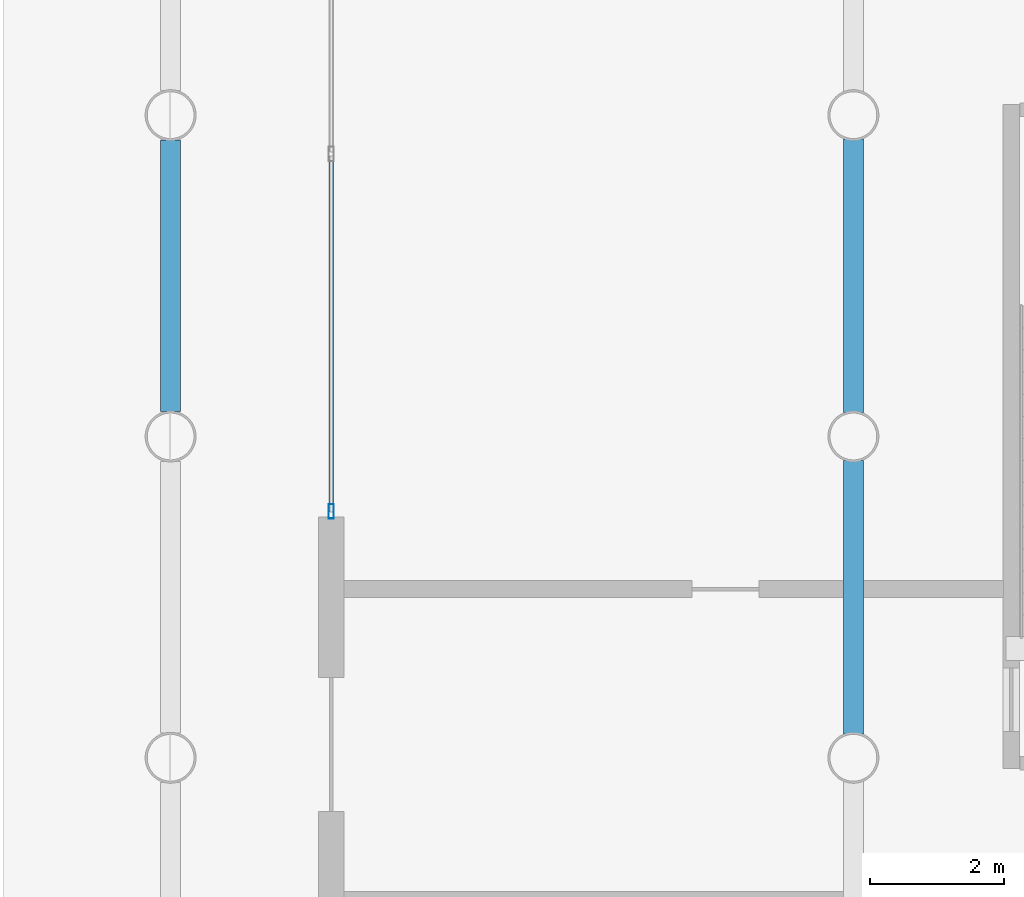
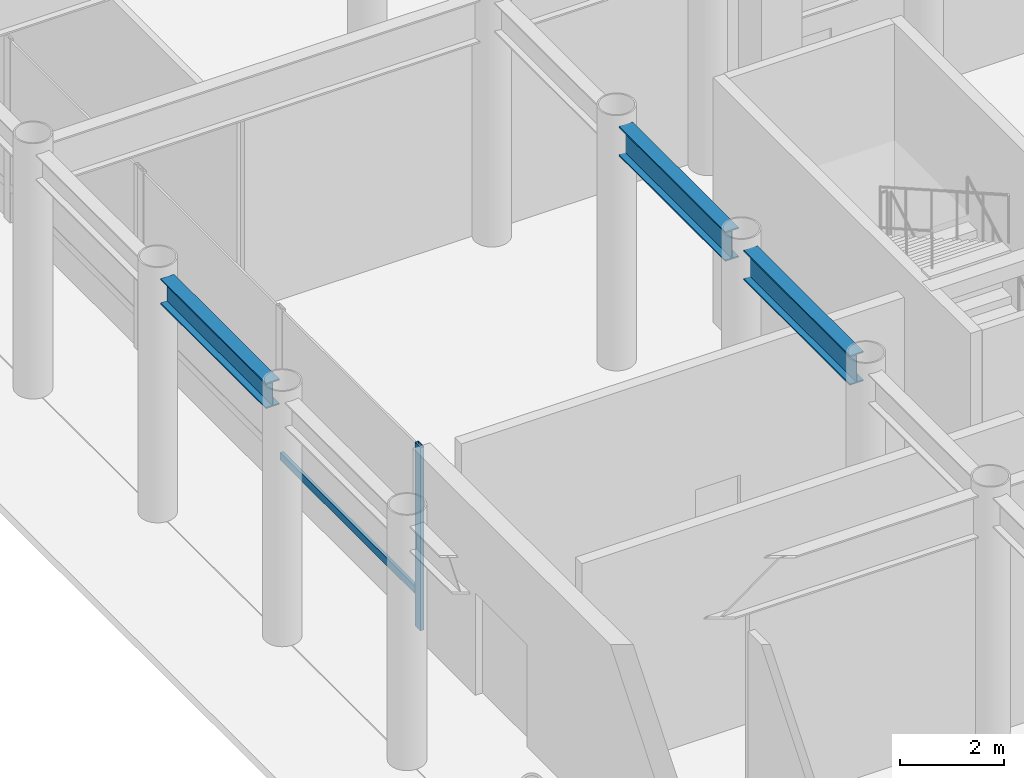
# One storey, part 7 of 23: 3 beams, 2 members, 1 element without a shape of its own.
"""IFC4 building model written with IfcOpenShell, lengths in metres."""

import ifcopenshell
import ifcopenshell.guid

model = None  # the IFC model being written
_history = None  # IfcOwnerHistory: only IFC2X3 demands one
_inside = {}  # id of a spatial element -> (the spatial element, [elements in it])
_under = {}  # id of a project, library or spatial element -> (it, [spatial elements below it])
_declared = {}  # id of a project -> (the project, [libraries it declares])
_typed = {}  # id of a type object -> (the type object, [elements of that type])
_made_of = {}  # id of a material, layer set ... -> (it, [elements and type objects made of it])


def new_model(schema):
    """Start an empty IFC model of exactly this schema.

    Asked for "IFC4X3", IfcOpenShell would pick the latest addendum, in which some entities
    have other attributes; the version numbers below select the first issue.
    IFC2X3 requires an IfcOwnerHistory on every rooted entity: one is made here for all.
    """
    global model, _history
    if schema == "IFC4X3":
        model = ifcopenshell.file(schema_version=(4, 3, 0, 0))
    else:
        model = ifcopenshell.file(schema=schema)
    _inside.clear()
    _under.clear()
    _declared.clear()
    _typed.clear()
    _made_of.clear()
    _history = None
    if model.schema == "IFC2X3":
        org = make("IfcOrganization", Name="unknown")
        user = make(
            "IfcPersonAndOrganization",
            ThePerson=make("IfcPerson", FamilyName="unknown"),
            TheOrganization=org,
        )
        app = make(
            "IfcApplication",
            ApplicationDeveloper=org,
            Version="unknown",
            ApplicationFullName="unknown",
            ApplicationIdentifier="unknown",
        )
        _history = make(
            "IfcOwnerHistory",
            OwningUser=user,
            OwningApplication=app,
            ChangeAction="ADDED",
            CreationDate=0,
        )
    return model


def make(cls, **values):
    """One entity of the class cls with the attributes given. An attribute that is None is left unset."""
    return model.create_entity(
        cls, **{name: value for name, value in values.items() if value is not None}
    )


def rooted(cls, **values):
    """An entity with a GlobalId (a new one), such as an element, a storey or a relation."""
    return make(cls, GlobalId=ifcopenshell.guid.new(), OwnerHistory=_history, **values)


def si_unit(unit_type, name, prefix=None):
    """IfcSIUnit, for example si_unit("LENGTHUNIT", "METRE", prefix="MILLI")."""
    return make("IfcSIUnit", UnitType=unit_type, Prefix=prefix, Name=name)


def assignment(units):
    """IfcUnitAssignment: the units of a project."""
    return None if units is None else make("IfcUnitAssignment", Units=units)


def point(xyz):
    """IfcCartesianPoint."""
    return None if xyz is None else make("IfcCartesianPoint", Coordinates=xyz)


def direction(xyz):
    """IfcDirection."""
    return None if xyz is None else make("IfcDirection", DirectionRatios=xyz)


def frame(location, z_axis=None, x_axis=None):
    """IfcAxis2Placement3D, a coordinate frame: its origin and axes. An axis left out is left unset."""
    return make(
        "IfcAxis2Placement3D",
        Location=point(location),
        Axis=direction(z_axis),
        RefDirection=direction(x_axis),
    )


def frame_2d(location, x_axis=None):
    """IfcAxis2Placement2D, a coordinate frame in the plane: its origin and x axis."""
    return make(
        "IfcAxis2Placement2D", Location=point(location), RefDirection=direction(x_axis)
    )


def origin():
    """The frame at (0, 0, 0) with its axes left unset."""
    return frame((0.0, 0.0, 0.0))


def origin_2d():
    """The frame at (0, 0) in the plane with its x axis left unset."""
    return frame_2d((0.0, 0.0))


def place(relative_to, where):
    """IfcLocalPlacement: puts the frame where relative to a parent placement (None: the world)."""
    return make(
        "IfcLocalPlacement", PlacementRelTo=relative_to, RelativePlacement=where
    )


def context(
    kind, dimensions, precision=None, world=None, true_north=None, identifier=None
):
    """IfcGeometricRepresentationContext, for example the 3D "Model" context."""
    return make(
        "IfcGeometricRepresentationContext",
        ContextIdentifier=identifier,
        ContextType=kind,
        CoordinateSpaceDimension=dimensions,
        Precision=precision,
        WorldCoordinateSystem=world,
        TrueNorth=true_north,
    )


def subcontext(parent, identifier, kind, view, scale=None):
    """IfcGeometricRepresentationSubContext, for example "Body" below "Model"."""
    return make(
        "IfcGeometricRepresentationSubContext",
        ContextIdentifier=identifier,
        ContextType=kind,
        ParentContext=parent,
        TargetScale=scale,
        TargetView=view,
    )


def project(units=None, contexts=None):
    """IfcProject with its units and contexts."""
    return rooted(
        "IfcProject",
        Name="project",
        RepresentationContexts=contexts,
        UnitsInContext=assignment(units),
    )


def spatial(cls, under=None, at=None, **own):
    """A site, building, storey or space (cls), placed at a placement, below another one or the project."""
    s = rooted(cls, ObjectPlacement=at, **own)
    if under is not None:
        _under.setdefault(under.id(), (under, []))[1].append(s)
    return s


def profile(cls, at=None, kind="AREA", **sizes):
    """A parametric profile (cls). Its sizes go by their IFC names, for example OverallWidth=200.0."""
    return make(cls, ProfileType=kind, Position=at, **sizes)


def hollow_rectangle(**sizes):
    """IfcRectangleHollowProfileDef."""
    return profile("IfcRectangleHollowProfileDef", **sizes)


def i_section(**sizes):
    """IfcIShapeProfileDef."""
    return profile("IfcIShapeProfileDef", **sizes)


def extrude(swept, where, along, depth):
    """IfcExtrudedAreaSolid: the profile swept, set in the frame where, extruded along a direction by depth."""
    return make(
        "IfcExtrudedAreaSolid",
        SweptArea=swept,
        Position=where,
        ExtrudedDirection=direction(along),
        Depth=depth,
    )


def shape(context_of_items, identifier, shape_type, items):
    """IfcShapeRepresentation: the items that make up one representation, for example the "Body"."""
    return make(
        "IfcShapeRepresentation",
        ContextOfItems=context_of_items,
        RepresentationIdentifier=identifier,
        RepresentationType=shape_type,
        Items=items,
    )


def material(Name=None, Category=None):
    """IfcMaterial."""
    return make("IfcMaterial", Name=Name, Category=Category)


def layer(
    of_material, thickness, ventilated=None, Name=None, Category=None, Priority=None
):
    """IfcMaterialLayer: one layer of a wall or slab, of a material (None: an air gap)."""
    return make(
        "IfcMaterialLayer",
        Material=of_material,
        LayerThickness=thickness,
        IsVentilated=ventilated,
        Name=Name,
        Category=Category,
        Priority=Priority,
    )


def layer_set(layers, Name=None):
    """IfcMaterialLayerSet."""
    return make("IfcMaterialLayerSet", MaterialLayers=layers, LayerSetName=Name)


def material_profile(
    of_material, cross_section, Name=None, Category=None, Priority=None
):
    """IfcMaterialProfile: a cross section and its material."""
    return make(
        "IfcMaterialProfile",
        Name=Name,
        Material=of_material,
        Profile=cross_section,
        Priority=Priority,
        Category=Category,
    )


def profile_set(profiles, Name=None, composite=None):
    """IfcMaterialProfileSet."""
    return make(
        "IfcMaterialProfileSet",
        Name=Name,
        MaterialProfiles=profiles,
        CompositeProfile=composite,
    )


def made_of(thing, what):
    """Note that an element or type object is made of a material, layer set ...; save() writes the relation."""
    if what is not None:
        _made_of.setdefault(what.id(), (what, []))[1].append(thing)
    return thing


def type_object(cls, material=None, **own):
    """A type object (cls), such as IfcWallType, which elements share."""
    return made_of(rooted(cls, **own), material)


def element(
    cls,
    number,
    at=None,
    inside=None,
    cuts=None,
    type_object=None,
    material=None,
    context=None,
    identifier="Body",
    shape_type=None,
    held_by="IfcProductDefinitionShape",
    body=None,
    shapes=None,
    **own,
):
    """One element of the class cls, such as IfcWall. Its Tag is "e" and its number.

    at: its placement. inside: the storey or other place that contains it. cuts: it is an
    opening in that element (IfcRelVoidsElement). A single representation is given by context,
    identifier, shape_type and body (its items); several are given by shapes. held_by: the class
    of the entity that holds the representations. save() writes the other relations.
    """
    e = rooted(cls, Tag="e%d" % number, ObjectPlacement=at, **own)
    if body is not None:
        shapes = [shape(context, identifier, shape_type, body)]
    if shapes is not None:
        e.Representation = make(held_by, Representations=shapes)
    if inside is not None:
        _inside.setdefault(inside.id(), (inside, []))[1].append(e)
    if cuts is not None:
        rooted(
            "IfcRelVoidsElement", RelatingBuildingElement=cuts, RelatedOpeningElement=e
        )
    if type_object is not None:
        _typed.setdefault(type_object.id(), (type_object, []))[1].append(e)
    return made_of(e, material)


def aggregate(whole, parts):
    """IfcRelAggregates: a whole, such as a stair, and the parts it consists of."""
    return rooted("IfcRelAggregates", RelatingObject=whole, RelatedObjects=parts)


def save(model, path):
    """Write the relations noted so far, then the file.

    IfcRelAggregates (storeys below a building ...), IfcRelContainedInSpatialStructure (elements
    in a storey), IfcRelDefinesByType, IfcRelAssociatesMaterial and IfcRelDeclares: one each for
    every whole, place, type object, material and project.
    """
    for whole, parts in _under.values():
        aggregate(whole, parts)
    for where, things in _inside.values():
        rooted(
            "IfcRelContainedInSpatialStructure",
            RelatedElements=things,
            RelatingStructure=where,
        )
    for kind, things in _typed.values():
        rooted("IfcRelDefinesByType", RelatedObjects=things, RelatingType=kind)
    for what, things in _made_of.values():
        rooted("IfcRelAssociatesMaterial", RelatedObjects=things, RelatingMaterial=what)
    for by, libraries in _declared.values():
        rooted("IfcRelDeclares", RelatingContext=by, RelatedDefinitions=libraries)
    model.write(path)


model = new_model("IFC4")

# Units and contexts
model_context = context("Model", 3, precision=1e-05, world=origin(), true_north=direction((0.0, 1.0)))
body_context = subcontext(model_context, "Body", "Model", "MODEL_VIEW")
ifc_project = project(units=[si_unit("LENGTHUNIT", "METRE"), si_unit("AREAUNIT", "SQUARE_METRE"), si_unit("VOLUMEUNIT", "CUBIC_METRE"), si_unit("PLANEANGLEUNIT", "RADIAN"), si_unit("MASSUNIT", "GRAM", prefix="KILO")], contexts=[model_context])

# Site, building, storey
site_placement = place(None, origin())
site = spatial("IfcSite", under=ifc_project, at=site_placement, CompositionType="ELEMENT")
building_placement = place(site_placement, origin())
building = spatial("IfcBuilding", under=site, at=building_placement, Name="Kallvorn Hotel Tower", CompositionType="ELEMENT")
storey_placement = place(building_placement, origin())
storey = spatial("IfcBuildingStorey", under=building, at=storey_placement, Name="L00", CompositionType="ELEMENT", Elevation=0.0)

# Beams
ifc_material_1 = material(Name="Structural steel S355JR", Category="steel")
ifc_material_profile_1 = material_profile(ifc_material_1, i_section(OverallWidth=0.300048828125, OverallDepth=0.60009765625, WebThickness=0.015380859375, FlangeThickness=0.030029296875, at=origin_2d()), Name="HE 600 B")
ifc_profile_set_1 = profile_set([ifc_material_profile_1], Name="Structural steel S355JR")
beam_type_1 = type_object("IfcBeamType", Name="BM_HE600B", PredefinedType="SPANDREL", material=ifc_profile_set_1)
beam_placement = place(storey_placement, frame((-39.0, 0.37109375, 5.449951171875), z_axis=(0.0, 1.0, 0.0), x_axis=(-1.0, 0.0, 0.0)))
element("IfcBeam", 1, at=beam_placement, inside=storey, type_object=beam_type_1, Name="L01 Perimeter Spandrel 204", PredefinedType="SPANDREL", context=body_context, shape_type="SweptSolid", body=[
    extrude(i_section(OverallWidth=0.300048828125, OverallDepth=0.60009765625, WebThickness=0.015380859375, FlangeThickness=0.030029296875, at=origin_2d()), origin(), (0.0, 0.0, 1.0), 4.057861328125),
])
ifc_material_2 = material(Name="Structural steel S355JR", Category="steel")
ifc_material_profile_2 = material_profile(ifc_material_2, i_section(OverallWidth=0.300048828125, OverallDepth=0.699951171875, WebThickness=0.01708984375, FlangeThickness=0.031982421875, at=origin_2d()), Name="HE 700 B")
ifc_profile_set_2 = profile_set([ifc_material_profile_2], Name="Structural steel S355JR")
beam_type_2 = type_object("IfcBeamType", Name="BM_HE700B", PredefinedType="BEAM", material=ifc_profile_set_2)
for number, where, z_axis, x_axis, name in (
    (2, (-28.800048828125, -4.444091796875, 5.39990234375), (0.0, 1.0, 0.0), (-1.0, 0.0, 0.0), "L01 Primary Y-Girder 84"),
    (3, (-28.800048828125, 0.35595703125, 5.39990234375), (0.0, 1.0, 0.0), (-1.0, 0.0, 0.0), "L01 Primary Y-Girder 85"),
):
    element("IfcBeam", number, at=place(storey_placement, frame(where, z_axis=z_axis, x_axis=x_axis)), inside=storey, type_object=beam_type_2, Name=name, PredefinedType="BEAM", context=body_context, shape_type="SweptSolid", body=[
        extrude(i_section(OverallWidth=0.300048828125, OverallDepth=0.699951171875, WebThickness=0.01708984375, FlangeThickness=0.031982421875, at=origin_2d()), origin(), (0.0, 0.0, 1.0), 4.088134765625),
    ])

# Curtain wall, members
ifc_material_3 = material(Name="Thermally broken black-anodised aluminium AA 6063-T6", Category="aluminium")
ifc_layer = layer(ifc_material_3, 0.239990234375)
ifc_layer_set = layer_set([ifc_layer], Name="CW_SYS_1_PODIUM_LOW")
curtain_wall_type = type_object("IfcCurtainWallType", Name="CW_SYS_1_PODIUM_LOW", PredefinedType="USERDEFINED", material=ifc_layer_set)
curtain_wall_placement = place(storey_placement, origin())
curtain_wall = element("IfcCurtainWall", 4, at=curtain_wall_placement, inside=storey, type_object=curtain_wall_type, Name="L00 Dark-Glass Curtain Wall CW-L00-W1", ObjectType="UNITISED CURTAIN WALL", PredefinedType="USERDEFINED")
ifc_material_4 = material(Name="Thermally broken black-anodised aluminium AA 6063-T6", Category="aluminium")
ifc_material_profile_3 = material_profile(ifc_material_4, hollow_rectangle(XDim=0.080078125, YDim=0.219970703125, WallThickness=0.0048828125, at=origin_2d()), Name="MUL 220x80")
ifc_profile_set_3 = profile_set([ifc_material_profile_3], Name="Thermally broken black-anodised aluminium AA 6063-T6")
member_type_1 = type_object("IfcMemberType", Name="CW_MULLION_220x80", PredefinedType="MULLION", material=ifc_profile_set_3)
member_1_placement = place(storey_placement, frame((-36.60009765625, -1.1201171875, 0.02001953125), z_axis=(0.0, 0.0, 1.0), x_axis=(1.0, 0.0, 0.0)))
member_1 = element("IfcMember", 5, at=member_1_placement, type_object=member_type_1, Name="CW-L00-W1 Mullion 00", PredefinedType="MULLION", context=body_context, shape_type="SweptSolid", body=[
    extrude(hollow_rectangle(XDim=0.080078125, YDim=0.219970703125, WallThickness=0.0048828125, at=origin_2d()), origin(), (0.0, 0.0, 1.0), 4.31005859375),
])
ifc_material_5 = material(Name="Thermally broken black-anodised aluminium AA 6063-T6", Category="aluminium")
ifc_material_profile_4 = material_profile(ifc_material_5, hollow_rectangle(XDim=0.070068359375, YDim=0.179931640625, WallThickness=0.00390625, at=origin_2d()), Name="TRN 180x70")
ifc_profile_set_4 = profile_set([ifc_material_profile_4], Name="Thermally broken black-anodised aluminium AA 6063-T6")
member_type_2 = type_object("IfcMemberType", Name="CW_TRANSOM_180x70", PredefinedType="USERDEFINED", material=ifc_profile_set_4)
member_2_placement = place(storey_placement, frame((-36.60009765625, -1.1201171875, 0.85009765625), z_axis=(0.0, 1.0, 0.0), x_axis=(-1.0, 0.0, 0.0)))
member_2 = element("IfcMember", 6, at=member_2_placement, type_object=member_type_2, Name="CW-L00-W1 Transom 00M", ObjectType="TRANSOM", PredefinedType="USERDEFINED", context=body_context, shape_type="SweptSolid", body=[
    extrude(hollow_rectangle(XDim=0.070068359375, YDim=0.179931640625, WallThickness=0.00390625, at=origin_2d()), origin(), (0.0, 0.0, 1.0), 5.300048828125),
])
aggregate(curtain_wall, [member_1, member_2])

save(model, "model.ifc")
